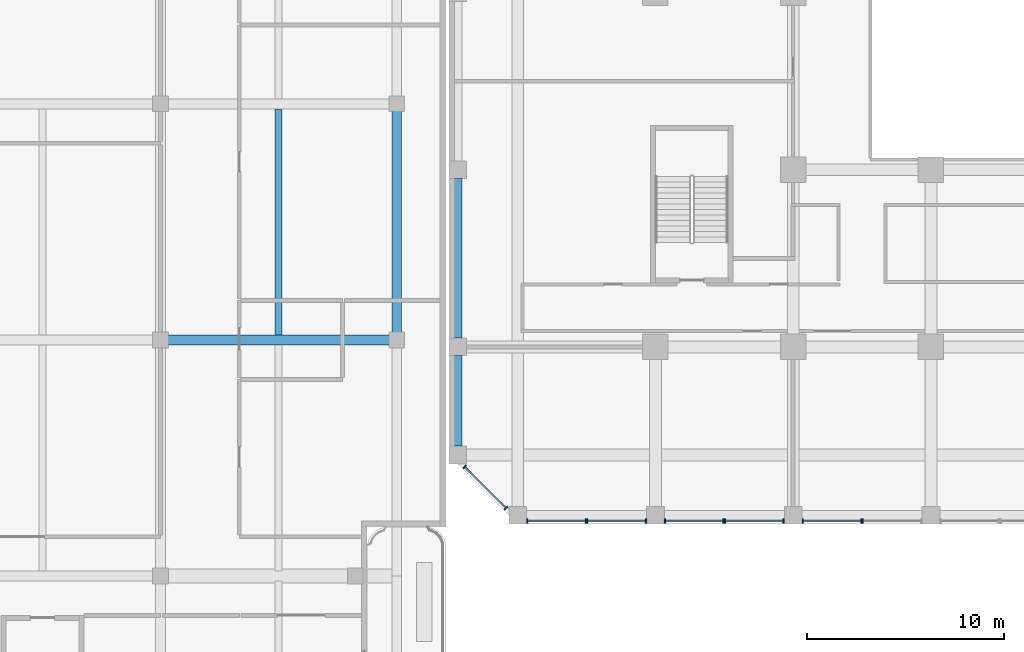
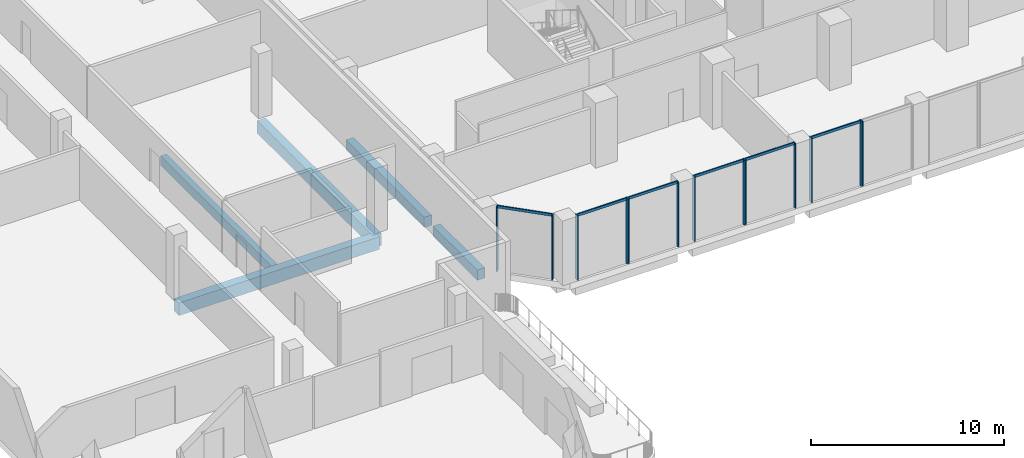
# One storey, part 2 of 35: 19 members, 5 beams, 7 elements without a shape of their own.
"""IFC4 building model written with IfcOpenShell, lengths in metres."""

from ifc_helpers import new_model, si_unit, direction, frame, origin, origin_2d, place, context, subcontext, project, spatial, rectangle, extrude, source, transform, mapped, material, material_profile, profile_set, type_object, element, aggregate, save


model = new_model("IFC4")

# Units and contexts
model_context = context("Model", 3, precision=1e-05, world=origin(), true_north=direction((0.0, 1.0)))
body_context = subcontext(model_context, "Body", "Model", "MODEL_VIEW")
ifc_project = project(units=[si_unit("LENGTHUNIT", "METRE"), si_unit("AREAUNIT", "SQUARE_METRE"), si_unit("VOLUMEUNIT", "CUBIC_METRE"), si_unit("PLANEANGLEUNIT", "RADIAN"), si_unit("MASSUNIT", "GRAM", prefix="KILO")], contexts=[model_context])

# Site, building, storey
site_placement = place(None, origin())
site = spatial("IfcSite", under=ifc_project, at=site_placement, CompositionType="ELEMENT")
building_placement = place(site_placement, origin())
building = spatial("IfcBuilding", under=site, at=building_placement, Name="Kilnfold Tower and Market Hall", CompositionType="ELEMENT")
storey_placement = place(building_placement, frame((0.0, 0.0, 13.5)))
storey = spatial("IfcBuildingStorey", under=building, at=storey_placement, Name="L02", CompositionType="ELEMENT", Elevation=13.5)

# Beams
ifc_material_1 = material(Name="Concrete C40/50", Category="concrete")
ifc_material_profile_1 = material_profile(ifc_material_1, rectangle(XDim=0.5, YDim=0.800048828125, at=origin_2d()), Name="RC 500x800")
ifc_profile_set_1 = profile_set([ifc_material_profile_1], Name="Concrete C40/50")
beam_type_1 = type_object("IfcBeamType", Name="HALL GIRDER 500X800", PredefinedType="BEAM", material=ifc_profile_set_1)
for number, where, z_axis, x_axis, name in (
    (1, (-42.64990234375, -18.64990234375, -0.800048828125), (1.0, 0.0, 0.0), (0.0, 1.0, 0.0), "Beam MG2.21"),
    (2, (-30.64990234375, -18.64990234375, -0.800048828125), (0.0, 1.0, 0.0), (-1.0, 0.0, 0.0), "Beam MG2.35"),
):
    element("IfcBeam", number, at=place(storey_placement, frame(where, z_axis=z_axis, x_axis=x_axis)), inside=storey, type_object=beam_type_1, Name=name, PredefinedType="BEAM", context=body_context, shape_type="SweptSolid", body=[
        extrude(rectangle(XDim=0.5, YDim=0.800048828125, at=origin_2d()), origin(), (0.0, 0.0, 1.0), 12.0),
    ])
ifc_material_2 = material(Name="Concrete C40/50", Category="concrete")
ifc_material_profile_2 = material_profile(ifc_material_2, rectangle(XDim=0.35009765625, YDim=0.60009765625, at=origin_2d()), Name="RC 350x600")
ifc_profile_set_2 = profile_set([ifc_material_profile_2], Name="Concrete C40/50")
beam_type_2 = type_object("IfcBeamType", Name="HALL JOIST 350X600", PredefinedType="BEAM", material=ifc_profile_set_2)
beam_1_placement = place(storey_placement, frame((-36.64990234375, -18.39990234375, -0.699951171875), z_axis=(0.0, 1.0, 0.0), x_axis=(-1.0, 0.0, 0.0)))
element("IfcBeam", 3, at=beam_1_placement, inside=storey, type_object=beam_type_2, Name="Beam MJ1.5", PredefinedType="BEAM", context=body_context, shape_type="SweptSolid", body=[
    extrude(rectangle(XDim=0.35009765625, YDim=0.60009765625, at=origin_2d()), origin(), (0.0, 0.0, 1.0), 11.5),
])
ifc_material_3 = material(Name="Concrete C45", Category="concrete")
ifc_material_profile_3 = material_profile(ifc_material_3, rectangle(XDim=0.449951171875, YDim=0.64990234375, at=origin_2d()), Name="RC 450x650")
ifc_profile_set_3 = profile_set([ifc_material_profile_3], Name="Concrete C45")
beam_type_3 = type_object("IfcBeamType", Name="EDGE BEAM 450X650 C45", PredefinedType="BEAM", material=ifc_profile_set_3)
shared_shape_1 = source(origin(), body_context, "Body", "SweptSolid", [
    extrude(rectangle(XDim=0.449951171875, YDim=0.64990234375, at=origin_2d()), origin(), (0.0, 0.0, 1.0), 4.60009765625),
])
beam_2_placement = place(storey_placement, frame((-27.550048828125, -24.050048828125, -0.72509765625), z_axis=(0.0, 1.0, 0.0), x_axis=(-1.0, 0.0, 0.0)))
element("IfcBeam", 4, at=beam_2_placement, inside=storey, type_object=beam_type_3, Name="Beam EB650-B1.30", PredefinedType="BEAM", context=body_context, shape_type="MappedRepresentation", body=[
    mapped(shared_shape_1, transform((0.0, 0.0, 0.0))),
])
shared_shape_2 = source(origin(), body_context, "Body", "SweptSolid", [
    extrude(rectangle(XDim=0.449951171875, YDim=0.64990234375, at=origin_2d()), origin(), (0.0, 0.0, 1.0), 8.10009765625),
])
beam_3_placement = place(storey_placement, frame((-27.550048828125, -18.550048828125, -0.72509765625), z_axis=(0.0, 1.0, 0.0), x_axis=(-1.0, 0.0, 0.0)))
element("IfcBeam", 5, at=beam_3_placement, inside=storey, type_object=beam_type_3, Name="Beam EB650-B1.31", PredefinedType="BEAM", context=body_context, shape_type="MappedRepresentation", body=[
    mapped(shared_shape_2, transform((0.0, 0.0, 0.0))),
])

# Curtain wall, members
ifc_material_4 = material(Name="Aluminium and double glazing", Category="aluminium")
curtain_wall_type = type_object("IfcCurtainWallType", Name="CW BASE PODIUM GLAZING", PredefinedType="NOTDEFINED", material=ifc_material_4)
curtain_wall_1_placement = place(storey_placement, origin())
curtain_wall_1 = element("IfcCurtainWall", 6, at=curtain_wall_1_placement, inside=storey, type_object=curtain_wall_type, Name="Curtain wall CW4 L02 S", PredefinedType="NOTDEFINED")
ifc_material_5 = material(Name="Aluminium", Category="aluminium")
ifc_material_profile_4 = material_profile(ifc_material_5, rectangle(XDim=0.070068359375, YDim=0.219970703125, at=origin_2d()), Name="MULLION 70x220")
ifc_profile_set_4 = profile_set([ifc_material_profile_4], Name="Aluminium")
member_type_1 = type_object("IfcMemberType", Name="MULLION 70X220", PredefinedType="MULLION", material=ifc_profile_set_4)
shared_shape_3 = source(origin(), body_context, "Body", "SweptSolid", [
    extrude(rectangle(XDim=0.070068359375, YDim=0.219970703125, at=origin_2d()), origin(), (0.0, 0.0, 1.0), 4.10009765625),
])
member_1_placement = place(storey_placement, frame((-24.014892578125, -27.85009765625, 0.0), z_axis=(0.0, 0.0, 1.0), x_axis=(1.0, 0.0, 0.0)))
member_1 = element("IfcMember", 7, at=member_1_placement, type_object=member_type_1, Name="CW4 mullion 1", PredefinedType="MULLION", context=body_context, shape_type="MappedRepresentation", body=[
    mapped(shared_shape_3, transform((0.0, 0.0, 0.0))),
])
member_2_placement = place(storey_placement, frame((-21.034912109375, -27.85009765625, 0.0), z_axis=(0.0, 0.0, 1.0), x_axis=(1.0, 0.0, 0.0)))
member_2 = element("IfcMember", 8, at=member_2_placement, type_object=member_type_1, Name="CW4 mullion 2", PredefinedType="MULLION", context=body_context, shape_type="MappedRepresentation", body=[
    mapped(shared_shape_3, transform((0.0, 0.0, 0.0))),
])

curtain_wall_2_placement = place(storey_placement, origin())
curtain_wall_2 = element("IfcCurtainWall", 9, at=curtain_wall_2_placement, inside=storey, type_object=curtain_wall_type, Name="Curtain wall CW4 L02 S", PredefinedType="NOTDEFINED")
member_3_placement = place(storey_placement, frame((-20.965087890625, -27.85009765625, 0.0), z_axis=(0.0, 0.0, 1.0), x_axis=(1.0, 0.0, 0.0)))
member_3 = element("IfcMember", 10, at=member_3_placement, type_object=member_type_1, Name="CW4 mullion 1", PredefinedType="MULLION", context=body_context, shape_type="MappedRepresentation", body=[
    mapped(shared_shape_3, transform((0.0, 0.0, 0.0))),
])
member_4_placement = place(storey_placement, frame((-17.985107421875, -27.85009765625, 0.0), z_axis=(0.0, 0.0, 1.0), x_axis=(1.0, 0.0, 0.0)))
member_4 = element("IfcMember", 11, at=member_4_placement, type_object=member_type_1, Name="CW4 mullion 2", PredefinedType="MULLION", context=body_context, shape_type="MappedRepresentation", body=[
    mapped(shared_shape_3, transform((0.0, 0.0, 0.0))),
])

curtain_wall_3_placement = place(storey_placement, origin())
curtain_wall_3 = element("IfcCurtainWall", 12, at=curtain_wall_3_placement, inside=storey, type_object=curtain_wall_type, Name="Curtain wall CW4 L02 S", PredefinedType="NOTDEFINED")
member_5_placement = place(storey_placement, frame((-17.014892578125, -27.85009765625, 0.0), z_axis=(0.0, 0.0, 1.0), x_axis=(1.0, 0.0, 0.0)))
member_5 = element("IfcMember", 13, at=member_5_placement, type_object=member_type_1, Name="CW4 mullion 1", PredefinedType="MULLION", context=body_context, shape_type="MappedRepresentation", body=[
    mapped(shared_shape_3, transform((0.0, 0.0, 0.0))),
])
member_6_placement = place(storey_placement, frame((-14.034912109375, -27.85009765625, 0.0), z_axis=(0.0, 0.0, 1.0), x_axis=(1.0, 0.0, 0.0)))
member_6 = element("IfcMember", 14, at=member_6_placement, type_object=member_type_1, Name="CW4 mullion 2", PredefinedType="MULLION", context=body_context, shape_type="MappedRepresentation", body=[
    mapped(shared_shape_3, transform((0.0, 0.0, 0.0))),
])

curtain_wall_4_placement = place(storey_placement, origin())
curtain_wall_4 = element("IfcCurtainWall", 15, at=curtain_wall_4_placement, inside=storey, type_object=curtain_wall_type, Name="Curtain wall CW4 L02 S", PredefinedType="NOTDEFINED")
member_7_placement = place(storey_placement, frame((-13.965087890625, -27.85009765625, 0.0), z_axis=(0.0, 0.0, 1.0), x_axis=(1.0, 0.0, 0.0)))
member_7 = element("IfcMember", 16, at=member_7_placement, type_object=member_type_1, Name="CW4 mullion 1", PredefinedType="MULLION", context=body_context, shape_type="MappedRepresentation", body=[
    mapped(shared_shape_3, transform((0.0, 0.0, 0.0))),
])
member_8_placement = place(storey_placement, frame((-10.985107421875, -27.85009765625, 0.0), z_axis=(0.0, 0.0, 1.0), x_axis=(1.0, 0.0, 0.0)))
member_8 = element("IfcMember", 17, at=member_8_placement, type_object=member_type_1, Name="CW4 mullion 2", PredefinedType="MULLION", context=body_context, shape_type="MappedRepresentation", body=[
    mapped(shared_shape_3, transform((0.0, 0.0, 0.0))),
])

curtain_wall_5_placement = place(storey_placement, origin())
curtain_wall_5 = element("IfcCurtainWall", 18, at=curtain_wall_5_placement, inside=storey, type_object=curtain_wall_type, Name="Curtain wall CW4 L02 S", PredefinedType="NOTDEFINED")
member_9_placement = place(storey_placement, frame((-10.014892578125, -27.85009765625, 0.0), z_axis=(0.0, 0.0, 1.0), x_axis=(1.0, 0.0, 0.0)))
member_9 = element("IfcMember", 19, at=member_9_placement, type_object=member_type_1, Name="CW4 mullion 1", PredefinedType="MULLION", context=body_context, shape_type="MappedRepresentation", body=[
    mapped(shared_shape_3, transform((0.0, 0.0, 0.0))),
])
member_10_placement = place(storey_placement, frame((-7.034912109375, -27.85009765625, 0.0), z_axis=(0.0, 0.0, 1.0), x_axis=(1.0, 0.0, 0.0)))
member_10 = element("IfcMember", 20, at=member_10_placement, type_object=member_type_1, Name="CW4 mullion 2", PredefinedType="MULLION", context=body_context, shape_type="MappedRepresentation", body=[
    mapped(shared_shape_3, transform((0.0, 0.0, 0.0))),
])

# Curtain wall, member
curtain_wall_6_placement = place(storey_placement, origin())
curtain_wall_6 = element("IfcCurtainWall", 21, at=curtain_wall_6_placement, inside=storey, type_object=curtain_wall_type, Name="Curtain wall CW4 L02 S", PredefinedType="NOTDEFINED")
member_11_placement = place(storey_placement, frame((-6.965087890625, -27.85009765625, 0.0), z_axis=(0.0, 0.0, 1.0), x_axis=(1.0, 0.0, 0.0)))
member_11 = element("IfcMember", 22, at=member_11_placement, type_object=member_type_1, Name="CW4 mullion 1", PredefinedType="MULLION", context=body_context, shape_type="MappedRepresentation", body=[
    mapped(shared_shape_3, transform((0.0, 0.0, 0.0))),
])
aggregate(curtain_wall_6, [member_11])

# Curtain wall, members
curtain_wall_7_placement = place(storey_placement, origin())
curtain_wall_7 = element("IfcCurtainWall", 23, at=curtain_wall_7_placement, inside=storey, type_object=curtain_wall_type, Name="Curtain wall CW4 L02 SW", PredefinedType="NOTDEFINED")
member_12_placement = place(storey_placement, frame((-27.194091796875, -25.09375, 0.0), z_axis=(0.0, 0.0, 1.0), x_axis=(0.707090337034, -0.707123224957, 0.0)))
member_12 = element("IfcMember", 24, at=member_12_placement, type_object=member_type_1, Name="CW4 mullion 1", PredefinedType="MULLION", context=body_context, shape_type="MappedRepresentation", body=[
    mapped(shared_shape_3, transform((0.0, 0.0, 0.0))),
])
member_13_placement = place(storey_placement, frame((-25.09375, -27.1943359375, 0.0), z_axis=(0.0, 0.0, 1.0), x_axis=(0.707090337034, -0.707123224957, 0.0)))
member_13 = element("IfcMember", 25, at=member_13_placement, type_object=member_type_1, Name="CW4 mullion 2", PredefinedType="MULLION", context=body_context, shape_type="MappedRepresentation", body=[
    mapped(shared_shape_3, transform((0.0, 0.0, 0.0))),
])

# Member
ifc_material_6 = material(Name="Aluminium", Category="aluminium")
ifc_material_profile_5 = material_profile(ifc_material_6, rectangle(XDim=0.070068359375, YDim=0.159912109375, at=origin_2d()), Name="TRANSOM 70x160")
ifc_profile_set_5 = profile_set([ifc_material_profile_5], Name="Aluminium")
member_type_2 = type_object("IfcMemberType", Name="TRANSOM 70X160", PredefinedType="USERDEFINED", material=ifc_profile_set_5)
shared_shape_4 = source(origin(), body_context, "Body", "SweptSolid", [
    extrude(rectangle(XDim=0.070068359375, YDim=0.159912109375, at=origin_2d()), origin(), (0.0, 0.0, 1.0), 2.909912109375),
])
member_14_placement = place(storey_placement, frame((-23.97998046875, -27.85009765625, 4.06494140625), z_axis=(1.0, 0.0, 0.0), x_axis=(0.0, 1.0, 0.0)))
member_14 = element("IfcMember", 26, at=member_14_placement, type_object=member_type_2, Name="CW4 transom 1.2", ObjectType="TRANSOM", PredefinedType="USERDEFINED", context=body_context, shape_type="MappedRepresentation", body=[
    mapped(shared_shape_4, transform((0.0, 0.0, 0.0))),
])

aggregate(curtain_wall_1, [member_1, member_2, member_14])

member_15_placement = place(storey_placement, frame((-20.929931640625, -27.85009765625, 4.06494140625), z_axis=(1.0, 0.0, 0.0), x_axis=(0.0, 1.0, 0.0)))
member_15 = element("IfcMember", 27, at=member_15_placement, type_object=member_type_2, Name="CW4 transom 1.2", ObjectType="TRANSOM", PredefinedType="USERDEFINED", context=body_context, shape_type="MappedRepresentation", body=[
    mapped(shared_shape_4, transform((0.0, 0.0, 0.0))),
])

aggregate(curtain_wall_2, [member_3, member_4, member_15])

member_16_placement = place(storey_placement, frame((-16.97998046875, -27.85009765625, 4.06494140625), z_axis=(1.0, 0.0, 0.0), x_axis=(0.0, 1.0, 0.0)))
member_16 = element("IfcMember", 28, at=member_16_placement, type_object=member_type_2, Name="CW4 transom 1.2", ObjectType="TRANSOM", PredefinedType="USERDEFINED", context=body_context, shape_type="MappedRepresentation", body=[
    mapped(shared_shape_4, transform((0.0, 0.0, 0.0))),
])

aggregate(curtain_wall_3, [member_5, member_6, member_16])

member_17_placement = place(storey_placement, frame((-13.929931640625, -27.85009765625, 4.06494140625), z_axis=(1.0, 0.0, 0.0), x_axis=(0.0, 1.0, 0.0)))
member_17 = element("IfcMember", 29, at=member_17_placement, type_object=member_type_2, Name="CW4 transom 1.2", ObjectType="TRANSOM", PredefinedType="USERDEFINED", context=body_context, shape_type="MappedRepresentation", body=[
    mapped(shared_shape_4, transform((0.0, 0.0, 0.0))),
])

aggregate(curtain_wall_4, [member_7, member_8, member_17])

member_18_placement = place(storey_placement, frame((-9.97998046875, -27.85009765625, 4.06494140625), z_axis=(1.0, 0.0, 0.0), x_axis=(0.0, 1.0, 0.0)))
member_18 = element("IfcMember", 30, at=member_18_placement, type_object=member_type_2, Name="CW4 transom 1.2", ObjectType="TRANSOM", PredefinedType="USERDEFINED", context=body_context, shape_type="MappedRepresentation", body=[
    mapped(shared_shape_4, transform((0.0, 0.0, 0.0))),
])

aggregate(curtain_wall_5, [member_9, member_10, member_18])

shared_shape_5 = source(origin(), body_context, "Body", "SweptSolid", [
    extrude(rectangle(XDim=0.070068359375, YDim=0.159912109375, at=origin_2d()), origin(), (0.0, 0.0, 1.0), 2.900634765625),
])
member_19_placement = place(storey_placement, frame((-27.16943359375, -25.118408203125, 4.06494140625), z_axis=(0.707106781187, -0.707106781187, 0.0), x_axis=(0.707106781187, 0.707106781187, 0.0)))
member_19 = element("IfcMember", 31, at=member_19_placement, type_object=member_type_2, Name="CW4 transom 1.2", ObjectType="TRANSOM", PredefinedType="USERDEFINED", context=body_context, shape_type="MappedRepresentation", body=[
    mapped(shared_shape_5, transform((0.0, 0.0, 0.0))),
])

aggregate(curtain_wall_7, [member_12, member_13, member_19])

save(model, "model.ifc")
